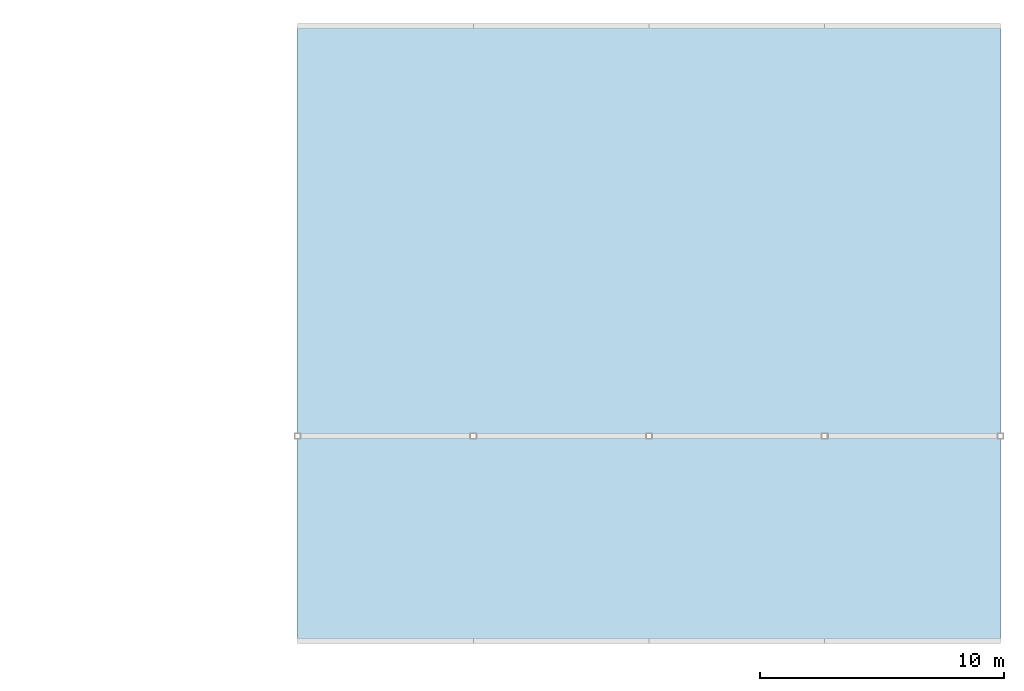
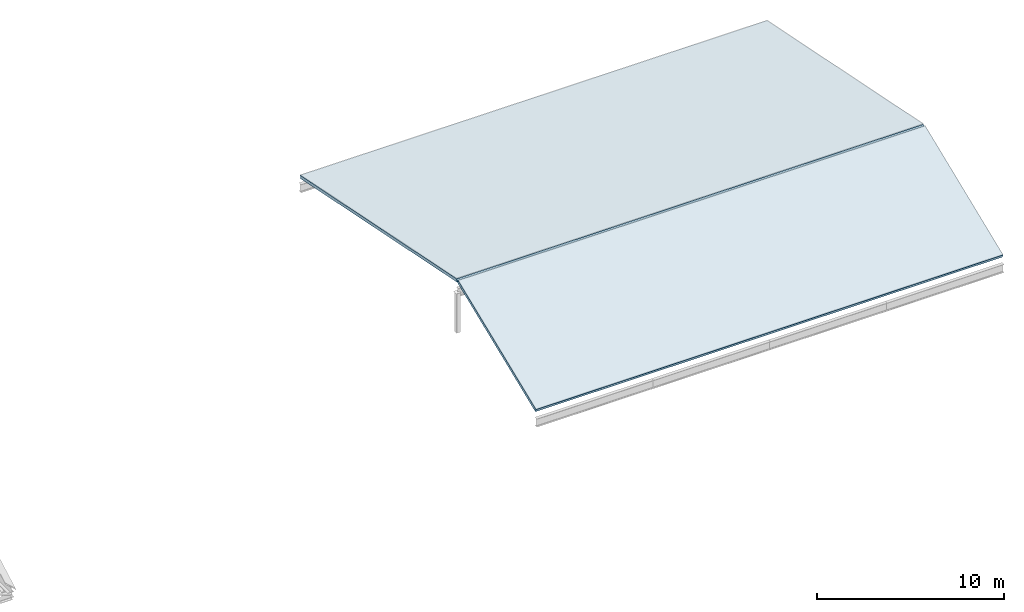
# One storey, part 6 of 13: 2 slabs.
"""IFC4 building model written with IfcOpenShell, lengths in metres."""

from ifc_helpers import new_model, si_unit, direction, frame, origin, place, context, subcontext, project, spatial, polyline, outline, extrude, material, layer, layer_set, type_object, element, save


model = new_model("IFC4")

# Units and contexts
model_context = context("Model", 3, precision=1e-05, world=origin(), true_north=direction((0.0, 1.0)))
body_context = subcontext(model_context, "Body", "Model", "MODEL_VIEW")
ifc_project = project(units=[si_unit("LENGTHUNIT", "METRE"), si_unit("AREAUNIT", "SQUARE_METRE"), si_unit("VOLUMEUNIT", "CUBIC_METRE"), si_unit("PLANEANGLEUNIT", "RADIAN"), si_unit("MASSUNIT", "GRAM", prefix="KILO")], contexts=[model_context])

# Site, building, storey
site_placement = place(None, origin())
site = spatial("IfcSite", under=ifc_project, at=site_placement, CompositionType="ELEMENT")
building_placement = place(site_placement, origin())
building = spatial("IfcBuilding", under=site, at=building_placement, Name="Calvrana Isthmian Art Gallery", CompositionType="ELEMENT")
storey_placement = place(building_placement, frame((0.0, 0.0, 29.39990234375)))
storey = spatial("IfcBuildingStorey", under=building, at=storey_placement, Name="RF", CompositionType="ELEMENT", Elevation=29.39990234375)

# Slabs
ifc_material = material(Name="Concrete C40/50", Category="concrete")
ifc_layer = layer(ifc_material, 0.199951171875, Name="Concrete C40/50")
ifc_layer_set = layer_set([ifc_layer], Name="Concrete C40/50")
slab_type = type_object("IfcSlabType", Name="SLB-ROOF-200", PredefinedType="ROOF", material=ifc_layer_set)
slab_1_placement = place(storey_placement, frame((112.800048828125, 21.60009765625, 0.0), z_axis=(0.0, -0.375204999955, 0.926941857944), x_axis=(1.0, 0.0, 0.0)))
element("IfcSlab", 1, at=slab_1_placement, inside=storey, type_object=slab_type, Name="Sloped roof slab SROOF_V4_S", PredefinedType="ROOF", context=body_context, shape_type="SweptSolid", body=[
    extrude(outline(polyline([(0.0, 0.0), (28.800048828125, 0.0), (28.800048828125, 8.975562110448397), (0.0, 8.975562110448397), (0.0, 0.0)])), origin(), (0.0, 0.0, -1.0), 0.199951171875),
])
slab_2_placement = place(storey_placement, frame((112.800048828125, 30.080078125, 3.3837890625), z_axis=(0.0, 0.198358689133, 0.980129496773), x_axis=(1.0, 0.0, 0.0)))
element("IfcSlab", 2, at=slab_2_placement, inside=storey, type_object=slab_type, Name="Sloped roof slab SROOF_V4_N", PredefinedType="ROOF", context=body_context, shape_type="SweptSolid", body=[
    extrude(outline(polyline([(0.0, 0.0), (28.800048828125, 0.0), (28.800048828125, 17.05894043406134), (0.0, 17.05894043406134), (0.0, 0.0)])), origin(), (0.0, 0.0, -1.0), 0.199951171875),
])

save(model, "model.ifc")
